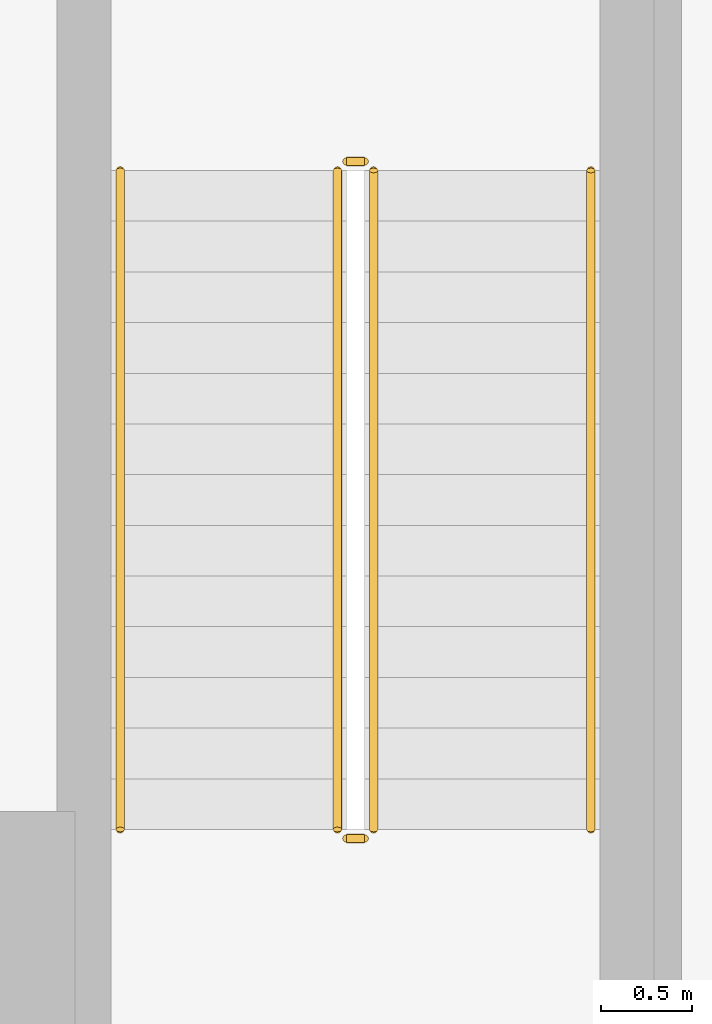
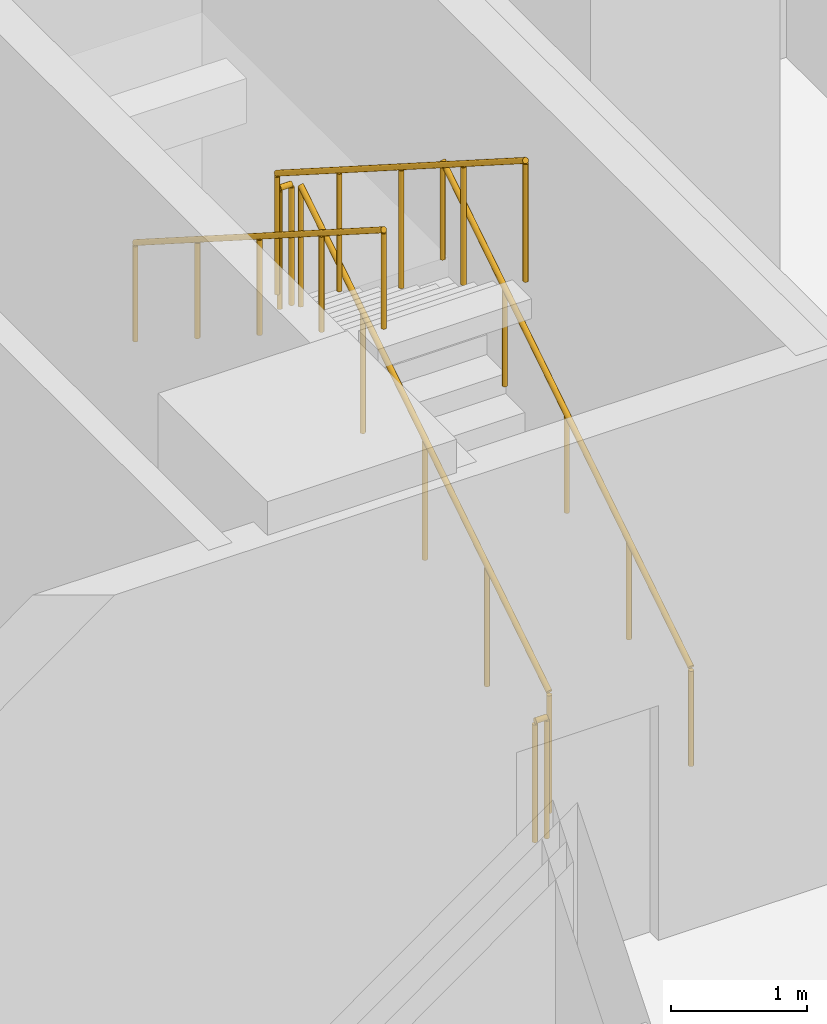
# One storey, part 26 of 33: 6 railings.
"""IFC4 building model written with IfcOpenShell, lengths in metres."""

from ifc_helpers import new_model, si_unit, direction, frame, origin, origin_2d, place, context, subcontext, project, spatial, circle, extrude, material, type_object, element, save


model = new_model("IFC4")

# Units and contexts
model_context = context("Model", 3, precision=1e-05, world=origin(), true_north=direction((0.0, 1.0)))
body_context = subcontext(model_context, "Body", "Model", "MODEL_VIEW")
ifc_project = project(units=[si_unit("LENGTHUNIT", "METRE"), si_unit("AREAUNIT", "SQUARE_METRE"), si_unit("VOLUMEUNIT", "CUBIC_METRE"), si_unit("PLANEANGLEUNIT", "RADIAN"), si_unit("MASSUNIT", "GRAM", prefix="KILO")], contexts=[model_context])

# Site, building, storey
site_placement = place(None, origin())
site = spatial("IfcSite", under=ifc_project, at=site_placement, CompositionType="ELEMENT")
building_placement = place(site_placement, origin())
building = spatial("IfcBuilding", under=site, at=building_placement, Name="Ogive Portal Towers", CompositionType="ELEMENT")
storey_placement = place(building_placement, frame((0.0, 0.0, 28.5)))
storey = spatial("IfcBuildingStorey", under=building, at=storey_placement, Name="L05", CompositionType="ELEMENT", Elevation=28.5)

# Railings
ifc_material_1 = material(Name="Stainless steel balustrade", Category="steel")
railing_type_1 = type_object("IfcRailingType", Name="INT-GUARD", PredefinedType="GUARDRAIL", material=ifc_material_1)
railing_1_placement = place(storey_placement, frame((42.949951171875, 67.199951171875, 0.178466796875)))
element("IfcRailing", 1, at=railing_1_placement, inside=storey, type_object=railing_type_1, Name="L05 ST-A3 stair guard 1", PredefinedType="GUARDRAIL", context=body_context, shape_type="SweptSolid", body=[
    extrude(circle(Radius=0.02392578125, at=origin_2d()), frame((0.0, 0.0, 1.076171875), z_axis=(0.0, 0.843127859045, 0.537713132908), x_axis=(-1.0, 0.0, 0.0)), (0.0, 0.0, 1.0), 4.3173828125),
    extrude(circle(Radius=0.02099609375, at=origin_2d()), origin(), (0.0, 0.0, 1.0), 1.052001953125),
    extrude(circle(Radius=0.02099609375, at=origin_2d()), frame((0.0, 0.91015625, 0.580322265625)), (0.0, 0.0, 1.0), 1.052001953125),
    extrude(circle(Radius=0.02099609375, at=origin_2d()), frame((0.0, 1.820068359375, 1.16064453125)), (0.0, 0.0, 1.0), 1.052001953125),
    extrude(circle(Radius=0.02099609375, at=origin_2d()), frame((0.0, 2.72998046875, 1.7412109375)), (0.0, 0.0, 1.0), 1.052001953125),
    extrude(circle(Radius=0.02099609375, at=origin_2d()), frame((0.0, 3.64013671875, 2.321533203125)), (0.0, 0.0, 1.0), 1.052001953125),
])
railing_2_placement = place(storey_placement, frame((42.89990234375, 70.889892578125, 2.5)))
element("IfcRailing", 2, at=railing_2_placement, inside=storey, type_object=railing_type_1, Name="L05 ST-A3 stair guard 2", PredefinedType="GUARDRAIL", context=body_context, shape_type="SweptSolid", body=[
    extrude(circle(Radius=0.02392578125, at=origin_2d()), frame((0.0, 0.0, 1.076171875), z_axis=(-1.0, 0.0, 0.0), x_axis=(0.0, -1.0, 0.0)), (0.0, 0.0, 1.0), 0.099853515625),
    extrude(circle(Radius=0.02099609375, at=origin_2d()), origin(), (0.0, 0.0, 1.0), 1.052001953125),
    extrude(circle(Radius=0.02099609375, at=origin_2d()), frame((-0.099853515625, 0.0, 0.0)), (0.0, 0.0, 1.0), 1.052001953125),
])
railing_3_placement = place(storey_placement, frame((42.75, 70.840087890625, 2.678466796875)))
element("IfcRailing", 3, at=railing_3_placement, inside=storey, type_object=railing_type_1, Name="L05 ST-A3 stair guard 3", PredefinedType="GUARDRAIL", context=body_context, shape_type="SweptSolid", body=[
    extrude(circle(Radius=0.02392578125, at=origin_2d()), frame((0.0, 0.0, 1.076171875), z_axis=(0.0, -0.843127859045, 0.537713132908), x_axis=(1.0, 0.0, 0.0)), (0.0, 0.0, 1.0), 4.3173828125),
    extrude(circle(Radius=0.02099609375, at=origin_2d()), origin(), (0.0, 0.0, 1.0), 1.052001953125),
    extrude(circle(Radius=0.02099609375, at=origin_2d()), frame((0.0, -0.91015625, 0.580322265625)), (0.0, 0.0, 1.0), 1.052001953125),
    extrude(circle(Radius=0.02099609375, at=origin_2d()), frame((0.0, -1.820068359375, 1.16064453125)), (0.0, 0.0, 1.0), 1.052001953125),
    extrude(circle(Radius=0.02099609375, at=origin_2d()), frame((0.0, -2.72998046875, 1.7412109375)), (0.0, 0.0, 1.0), 1.052001953125),
    extrude(circle(Radius=0.02099609375, at=origin_2d()), frame((0.0, -3.64013671875, 2.321533203125)), (0.0, 0.0, 1.0), 1.052001953125),
])
railing_4_placement = place(storey_placement, frame((42.89990234375, 67.14990234375, 0.0)))
element("IfcRailing", 4, at=railing_4_placement, inside=storey, type_object=railing_type_1, Name="L05 ST-A3 stair guard 4", PredefinedType="GUARDRAIL", context=body_context, shape_type="SweptSolid", body=[
    extrude(circle(Radius=0.02392578125, at=origin_2d()), frame((0.0, 0.0, 1.076171875), z_axis=(-1.0, 0.0, 0.0), x_axis=(0.0, -1.0, 0.0)), (0.0, 0.0, 1.0), 0.099853515625),
    extrude(circle(Radius=0.02099609375, at=origin_2d()), origin(), (0.0, 0.0, 1.0), 1.052001953125),
    extrude(circle(Radius=0.02099609375, at=origin_2d()), frame((-0.099853515625, 0.0, 0.0)), (0.0, 0.0, 1.0), 1.052001953125),
])
ifc_material_2 = material(Name="Stainless steel handrail", Category="steel")
railing_type_2 = type_object("IfcRailingType", Name="INT-HANDRAIL", PredefinedType="HANDRAIL", material=ifc_material_2)
railing_5_placement = place(storey_placement, frame((44.14990234375, 67.199951171875, 0.178466796875)))
element("IfcRailing", 5, at=railing_5_placement, inside=storey, type_object=railing_type_2, Name="L05 ST-A3 stair handrail 1", PredefinedType="HANDRAIL", context=body_context, shape_type="SweptSolid", body=[
    extrude(circle(Radius=0.02392578125, at=origin_2d()), frame((0.0, 0.0, 0.8759765625), z_axis=(0.0, 0.843127859045, 0.537713132908), x_axis=(-1.0, 0.0, 0.0)), (0.0, 0.0, 1.0), 4.3173828125),
    extrude(circle(Radius=0.02099609375, at=origin_2d()), origin(), (0.0, 0.0, 1.0), 0.851806640625),
    extrude(circle(Radius=0.02099609375, at=origin_2d()), frame((0.0, 0.91015625, 0.580322265625)), (0.0, 0.0, 1.0), 0.851806640625),
    extrude(circle(Radius=0.02099609375, at=origin_2d()), frame((0.0, 1.820068359375, 1.16064453125)), (0.0, 0.0, 1.0), 0.851806640625),
    extrude(circle(Radius=0.02099609375, at=origin_2d()), frame((0.0, 2.72998046875, 1.7412109375)), (0.0, 0.0, 1.0), 0.851806640625),
    extrude(circle(Radius=0.02099609375, at=origin_2d()), frame((0.0, 3.64013671875, 2.321533203125)), (0.0, 0.0, 1.0), 0.851806640625),
])
railing_6_placement = place(storey_placement, frame((41.550048828125, 70.840087890625, 2.678466796875)))
element("IfcRailing", 6, at=railing_6_placement, inside=storey, type_object=railing_type_2, Name="L05 ST-A3 stair handrail 2", PredefinedType="HANDRAIL", context=body_context, shape_type="SweptSolid", body=[
    extrude(circle(Radius=0.02392578125, at=origin_2d()), frame((0.0, 0.0, 0.8759765625), z_axis=(0.0, -0.843127859045, 0.537713132908), x_axis=(1.0, 0.0, 0.0)), (0.0, 0.0, 1.0), 4.3173828125),
    extrude(circle(Radius=0.02099609375, at=origin_2d()), origin(), (0.0, 0.0, 1.0), 0.851806640625),
    extrude(circle(Radius=0.02099609375, at=origin_2d()), frame((0.0, -0.91015625, 0.580322265625)), (0.0, 0.0, 1.0), 0.851806640625),
    extrude(circle(Radius=0.02099609375, at=origin_2d()), frame((0.0, -1.820068359375, 1.16064453125)), (0.0, 0.0, 1.0), 0.851806640625),
    extrude(circle(Radius=0.02099609375, at=origin_2d()), frame((0.0, -2.72998046875, 1.7412109375)), (0.0, 0.0, 1.0), 0.851806640625),
    extrude(circle(Radius=0.02099609375, at=origin_2d()), frame((0.0, -3.64013671875, 2.321533203125)), (0.0, 0.0, 1.0), 0.851806640625),
])

save(model, "model.ifc")
